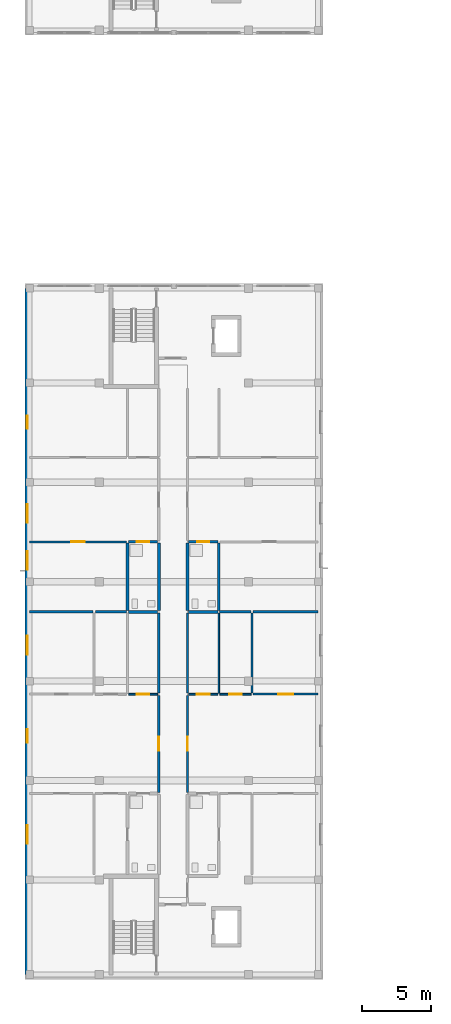
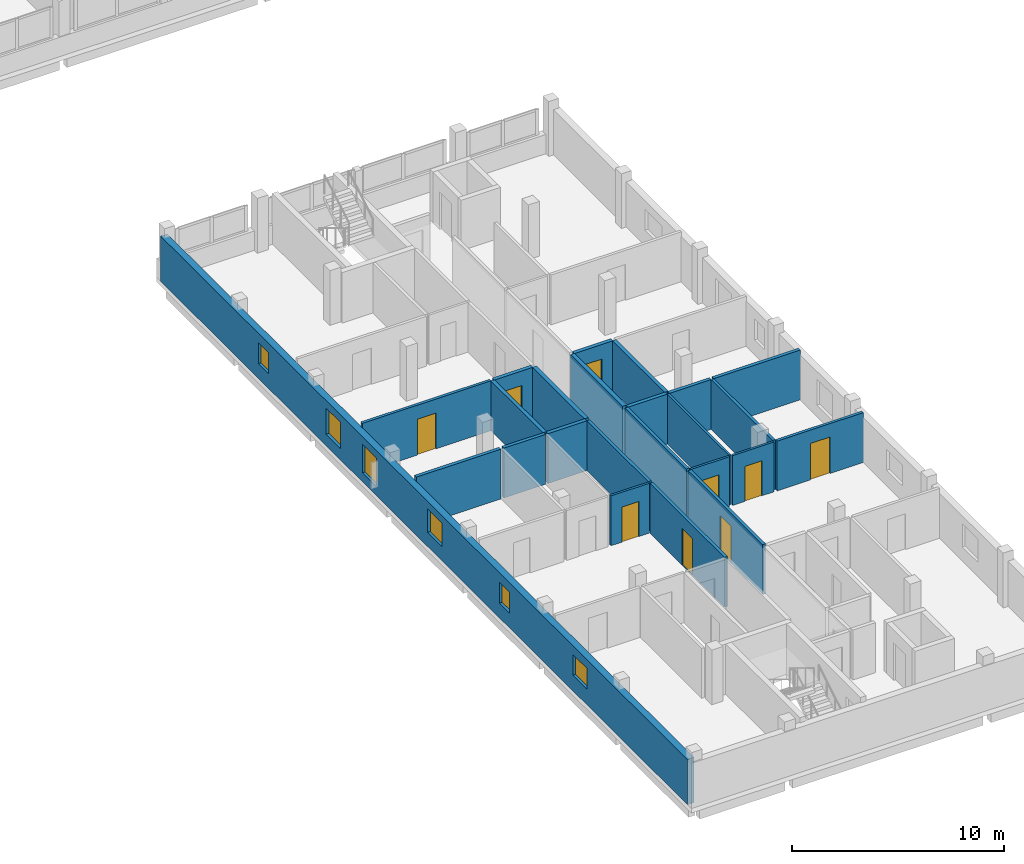
# One storey, part 14 of 38: 24 walls, 9 doors, 6 windows, 15 openings.
"""IFC4 building model written with IfcOpenShell, lengths in metres."""

from ifc_helpers import new_model, si_unit, derived_unit, direction, frame, frame_2d, origin, place, context, subcontext, project, spatial, rectangle, extrude, material, layer, layer_set, type_object, element, fill, save


model = new_model("IFC4")

# Units and contexts
model_context = context("Model", 3, precision=1e-05, world=origin(), true_north=direction((0.0, 1.0)))
body_context = subcontext(model_context, "Body", "Model", "MODEL_VIEW")
ifc_project = project(units=[si_unit("LENGTHUNIT", "METRE"), si_unit("AREAUNIT", "SQUARE_METRE"), si_unit("VOLUMEUNIT", "CUBIC_METRE"), si_unit("PLANEANGLEUNIT", "RADIAN"), si_unit("MASSUNIT", "GRAM", prefix="KILO"), derived_unit("THERMALTRANSMITTANCEUNIT", [(si_unit("MASSUNIT", "GRAM", prefix="KILO"), 1), (si_unit("TIMEUNIT", "SECOND"), -3), (si_unit("THERMODYNAMICTEMPERATUREUNIT", "KELVIN"), -1)])], contexts=[model_context])

# Site, building, storey
site_placement = place(None, origin())
site = spatial("IfcSite", under=ifc_project, at=site_placement, CompositionType="ELEMENT")
building_placement = place(site_placement, origin())
building = spatial("IfcBuilding", under=site, at=building_placement, Name="Ochrekiln Boulevard Commons", CompositionType="ELEMENT")
storey_placement = place(building_placement, frame((0.0, 0.0, 24.675048828125)))
storey = spatial("IfcBuildingStorey", under=building, at=storey_placement, Name="L07", CompositionType="ELEMENT", Elevation=24.675048828125)

# Wall, openings, windows
ifc_material_1 = material(Name="Iron-spot brown clinker brick masonry ASTM C216 Grade SW", Category="masonry")
ifc_layer_1 = layer(ifc_material_1, 0.364990234375)
ifc_layer_set_1 = layer_set([ifc_layer_1], Name="Iron-spot brown clinker brick masonry ASTM C216 Grade SW")
wall_type_1 = type_object("IfcWallType", Name="WL-EXT-IRON-365", PredefinedType="SOLIDWALL", material=ifc_layer_set_1)
wall_1_placement = place(storey_placement, frame((0.1826171875, 0.364990234375, 0.0), z_axis=(0.0, 0.0, 1.0), x_axis=(0.0, 1.0, 0.0)))
wall_1 = element("IfcWall", 1, at=wall_1_placement, inside=storey, type_object=wall_type_1, Name="Block D L07 W Exterior Wall", PredefinedType="SOLIDWALL", context=body_context, shape_type="SweptSolid", body=[
    extrude(rectangle(XDim=49.669921875, YDim=0.364990234375, at=frame_2d((24.8349609375, 0.0))), origin(), (0.0, 0.0, 1.0), 2.599853515625),
])
opening_1_placement = place(wall_1_placement, frame((16.781982421875, 0.0, 0.85009765625)))
opening_1 = element("IfcOpeningElement", 2, at=opening_1_placement, cuts=wall_1, Name="Opening W-01", PredefinedType="OPENING", context=body_context, shape_type="SweptSolid", body=[
    extrude(rectangle(XDim=0.949951171875, YDim=1.199951171875, at=frame_2d((0.47509765625, 0.60009765625))), frame((0.0, 0.1923828125, 0.0), z_axis=(0.0, -1.0, 0.0), x_axis=(1.0, 0.0, 0.0)), (0.0, 0.0, 1.0), 0.385009765625),
])
opening_2_placement = place(wall_1_placement, frame((9.451904296875, 0.0, 0.89990234375)))
opening_2 = element("IfcOpeningElement", 3, at=opening_2_placement, cuts=wall_1, Name="Opening W-21", PredefinedType="OPENING", context=body_context, shape_type="SweptSolid", body=[
    extrude(rectangle(XDim=1.35009765625, YDim=1.199951171875, at=frame_2d((0.675048828125, 0.60009765625))), frame((0.0, 0.1923828125, 0.0), z_axis=(0.0, -1.0, 0.0), x_axis=(1.0, 0.0, 0.0)), (0.0, 0.0, 1.0), 0.385009765625),
])
opening_3_placement = place(wall_1_placement, frame((23.154052734375, 0.0, 0.81494140625)))
opening_3 = element("IfcOpeningElement", 4, at=opening_3_placement, cuts=wall_1, Name="Opening W-22", PredefinedType="OPENING", context=body_context, shape_type="SweptSolid", body=[
    extrude(rectangle(XDim=1.35009765625, YDim=1.35009765625, at=frame_2d((0.675048828125, 0.675048828125))), frame((0.0, 0.1923828125, 0.0), z_axis=(0.0, -1.0, 0.0), x_axis=(1.0, 0.0, 0.0)), (0.0, 0.0, 1.0), 0.385009765625),
])
opening_4_placement = place(wall_1_placement, frame((32.7099609375, 0.0, 0.6650390625)))
opening_4 = element("IfcOpeningElement", 5, at=opening_4_placement, cuts=wall_1, Name="Opening W-23", PredefinedType="OPENING", context=body_context, shape_type="SweptSolid", body=[
    extrude(rectangle(XDim=1.35009765625, YDim=1.5, at=frame_2d((0.675048828125, 0.75))), frame((0.0, 0.1923828125, 0.0), z_axis=(0.0, -1.0, 0.0), x_axis=(1.0, 0.0, 0.0)), (0.0, 0.0, 1.0), 0.385009765625),
])
opening_5_placement = place(wall_1_placement, frame((29.300048828125, 0.0, 0.514892578125)))
opening_5 = element("IfcOpeningElement", 6, at=opening_5_placement, cuts=wall_1, Name="Opening W-24", PredefinedType="OPENING", context=body_context, shape_type="SweptSolid", body=[
    extrude(rectangle(XDim=1.35009765625, YDim=1.64990234375, at=frame_2d((0.675048828125, 0.824951171875))), frame((0.0, 0.1923828125, 0.0), z_axis=(0.0, -1.0, 0.0), x_axis=(1.0, 0.0, 0.0)), (0.0, 0.0, 1.0), 0.385009765625),
])
opening_6_placement = place(wall_1_placement, frame((39.50390625, 0.0, 0.85009765625)))
opening_6 = element("IfcOpeningElement", 7, at=opening_6_placement, cuts=wall_1, Name="Opening W-01", PredefinedType="OPENING", context=body_context, shape_type="SweptSolid", body=[
    extrude(rectangle(XDim=0.949951171875, YDim=1.199951171875, at=frame_2d((0.47509765625, 0.60009765625))), frame((0.0, 0.1923828125, 0.0), z_axis=(0.0, -1.0, 0.0), x_axis=(1.0, 0.0, 0.0)), (0.0, 0.0, 1.0), 0.385009765625),
])
ifc_material_2 = material(Name="Thermally broken aluminium-clad oak frame", Category="aluminium")
window_type_1 = type_object("IfcWindowType", Name="WIN-EXT-01", PartitioningType="SINGLE_PANEL", PredefinedType="WINDOW", material=ifc_material_2)
window_1_placement = place(opening_1_placement, origin())
window_1 = element("IfcWindow", 8, at=window_1_placement, inside=storey, type_object=window_type_1, Name="Block D L07 Punched Masonry Window W-01", OverallHeight=1.199951171875, OverallWidth=0.949951171875, PartitioningType="SINGLE_PANEL", PredefinedType="WINDOW", context=body_context, shape_type="SweptSolid", body=[
    extrude(rectangle(XDim=0.949951171875, YDim=1.199951171875, at=frame_2d((0.47509765625, 0.60009765625))), frame((0.0, 0.030029296875, 0.0), z_axis=(0.0, -1.0, 0.0), x_axis=(1.0, 0.0, 0.0)), (0.0, 0.0, 1.0), 0.06005859375),
])
fill(opening_1, window_1)
window_2_placement = place(opening_6_placement, origin())
window_2 = element("IfcWindow", 9, at=window_2_placement, inside=storey, type_object=window_type_1, Name="Block D L07 Punched Masonry Window W-01", OverallHeight=1.199951171875, OverallWidth=0.949951171875, PartitioningType="SINGLE_PANEL", PredefinedType="WINDOW", context=body_context, shape_type="SweptSolid", body=[
    extrude(rectangle(XDim=0.949951171875, YDim=1.199951171875, at=frame_2d((0.47509765625, 0.60009765625))), frame((0.0, 0.030029296875, 0.0), z_axis=(0.0, -1.0, 0.0), x_axis=(1.0, 0.0, 0.0)), (0.0, 0.0, 1.0), 0.06005859375),
])
fill(opening_6, window_2)
window_type_2 = type_object("IfcWindowType", Name="WIN-EXT-21", PartitioningType="SINGLE_PANEL", PredefinedType="WINDOW", material=ifc_material_2)
window_3_placement = place(opening_2_placement, origin())
window_3 = element("IfcWindow", 10, at=window_3_placement, inside=storey, type_object=window_type_2, Name="Block D L07 Punched Masonry Window W-21", OverallHeight=1.199951171875, OverallWidth=1.35009765625, PartitioningType="SINGLE_PANEL", PredefinedType="WINDOW", context=body_context, shape_type="SweptSolid", body=[
    extrude(rectangle(XDim=1.35009765625, YDim=1.199951171875, at=frame_2d((0.675048828125, 0.60009765625))), frame((0.0, 0.030029296875, 0.0), z_axis=(0.0, -1.0, 0.0), x_axis=(1.0, 0.0, 0.0)), (0.0, 0.0, 1.0), 0.06005859375),
])
fill(opening_2, window_3)
window_type_3 = type_object("IfcWindowType", Name="WIN-EXT-22", PartitioningType="SINGLE_PANEL", PredefinedType="WINDOW", material=ifc_material_2)
window_4_placement = place(opening_3_placement, origin())
window_4 = element("IfcWindow", 11, at=window_4_placement, inside=storey, type_object=window_type_3, Name="Block D L07 Punched Masonry Window W-22", OverallHeight=1.35009765625, OverallWidth=1.35009765625, PartitioningType="SINGLE_PANEL", PredefinedType="WINDOW", context=body_context, shape_type="SweptSolid", body=[
    extrude(rectangle(XDim=1.35009765625, YDim=1.35009765625, at=frame_2d((0.675048828125, 0.675048828125))), frame((0.0, 0.030029296875, 0.0), z_axis=(0.0, -1.0, 0.0), x_axis=(1.0, 0.0, 0.0)), (0.0, 0.0, 1.0), 0.06005859375),
])
fill(opening_3, window_4)
window_type_4 = type_object("IfcWindowType", Name="WIN-EXT-23", PartitioningType="SINGLE_PANEL", PredefinedType="WINDOW", material=ifc_material_2)
window_5_placement = place(opening_4_placement, origin())
window_5 = element("IfcWindow", 12, at=window_5_placement, inside=storey, type_object=window_type_4, Name="Block D L07 Punched Masonry Window W-23", OverallHeight=1.5, OverallWidth=1.35009765625, PartitioningType="SINGLE_PANEL", PredefinedType="WINDOW", context=body_context, shape_type="SweptSolid", body=[
    extrude(rectangle(XDim=1.35009765625, YDim=1.5, at=frame_2d((0.675048828125, 0.75))), frame((0.0, 0.030029296875, 0.0), z_axis=(0.0, -1.0, 0.0), x_axis=(1.0, 0.0, 0.0)), (0.0, 0.0, 1.0), 0.06005859375),
])
fill(opening_4, window_5)
window_type_5 = type_object("IfcWindowType", Name="WIN-EXT-24", PartitioningType="SINGLE_PANEL", PredefinedType="WINDOW", material=ifc_material_2)
window_6_placement = place(opening_5_placement, origin())
window_6 = element("IfcWindow", 13, at=window_6_placement, inside=storey, type_object=window_type_5, Name="Block D L07 Punched Masonry Window W-24", OverallHeight=1.64990234375, OverallWidth=1.35009765625, PartitioningType="SINGLE_PANEL", PredefinedType="WINDOW", context=body_context, shape_type="SweptSolid", body=[
    extrude(rectangle(XDim=1.35009765625, YDim=1.64990234375, at=frame_2d((0.675048828125, 0.824951171875))), frame((0.0, 0.030029296875, 0.0), z_axis=(0.0, -1.0, 0.0), x_axis=(1.0, 0.0, 0.0)), (0.0, 0.0, 1.0), 0.06005859375),
])
fill(opening_5, window_6)

# Wall
ifc_material_3 = material(Name="Moisture-resistant cementitious tile backer wall")
ifc_layer_2 = layer(ifc_material_3, 0.199951171875)
ifc_layer_set_2 = layer_set([ifc_layer_2], Name="Moisture-resistant cementitious tile backer wall")
wall_type_2 = type_object("IfcWallType", Name="WL-PLM-200", PredefinedType="PLUMBINGWALL", material=ifc_layer_set_2)
wall_2_placement = place(storey_placement, frame((7.5, 26.60791015625, 0.0), z_axis=(0.0, 0.0, 1.0), x_axis=(1.0, 0.0, 0.0)))
element("IfcWall", 14, at=wall_2_placement, inside=storey, type_object=wall_type_2, Name="L07 Interior Wall W-PW200", PredefinedType="PLUMBINGWALL", context=body_context, shape_type="SweptSolid", body=[
    extrude(rectangle(XDim=2.1279296875, YDim=0.199951171875, at=frame_2d((1.06396484375, 0.0))), origin(), (0.0, 0.0, 1.0), 2.869873046875),
])

# Wall, opening, door
wall_3_placement = place(storey_placement, frame((7.52001953125, 31.68994140625, 0.0), z_axis=(0.0, 0.0, 1.0), x_axis=(1.0, 0.0, 0.0)))
wall_3 = element("IfcWall", 15, at=wall_3_placement, inside=storey, type_object=wall_type_2, Name="L07 Interior Wall W-PW200", PredefinedType="PLUMBINGWALL", context=body_context, shape_type="SweptSolid", body=[
    extrude(rectangle(XDim=2.10791015625, YDim=0.199951171875, at=frame_2d((1.053955078125, 0.0))), origin(), (0.0, 0.0, 1.0), 2.869873046875),
])
opening_7_placement = place(wall_3_placement, frame((0.60498046875, 0.0, 0.0)))
opening_7 = element("IfcOpeningElement", 16, at=opening_7_placement, cuts=wall_3, Name="Opening D-L07-987", PredefinedType="OPENING", context=body_context, shape_type="SweptSolid", body=[
    extrude(rectangle(XDim=0.889892578125, YDim=2.030029296875, at=frame_2d((0.44482421875, 1.01513671875))), frame((0.0, 0.10986328125, 0.0), z_axis=(0.0, -1.0, 0.0), x_axis=(1.0, 0.0, 0.0)), (0.0, 0.0, 1.0), 0.219970703125),
])
ifc_material_4 = material(Name="Solid core architectural oak door leaf")
door_type_1 = type_object("IfcDoorType", Name="DR-INT-BTH-089", OperationType="NOTDEFINED", PredefinedType="DOOR", material=ifc_material_4)
door_1_placement = place(opening_7_placement, frame((0.889892578125, 0.0, 0.0), z_axis=(0.0, 0.0, 1.0), x_axis=(-1.0, 0.0, 0.0)))
door_1 = element("IfcDoor", 17, at=door_1_placement, inside=storey, type_object=door_type_1, Name="L07 Interior Door to Apartment Bathroom", OperationType="SINGLE_SWING_LEFT", OverallHeight=2.030029296875, OverallWidth=0.889892578125, PredefinedType="DOOR", context=body_context, shape_type="SweptSolid", body=[
    extrude(rectangle(XDim=0.889892578125, YDim=2.030029296875, at=frame_2d((0.44482421875, 1.01513671875))), frame((0.0, 0.02490234375, 0.0), z_axis=(0.0, -1.0, 0.0), x_axis=(1.0, 0.0, 0.0)), (0.0, 0.0, 1.0), 0.050048828125),
])
fill(opening_7, door_1)

# Walls
wall_4_placement = place(storey_placement, frame((7.43994140625, 26.697998046875, 0.0), z_axis=(0.0, 0.0, 1.0), x_axis=(0.0, 1.0, 0.0)))
element("IfcWall", 18, at=wall_4_placement, inside=storey, type_object=wall_type_2, Name="L07 Interior Wall W-PW200", PredefinedType="PLUMBINGWALL", context=body_context, shape_type="SweptSolid", body=[
    extrude(rectangle(XDim=4.9169921875, YDim=0.199951171875, at=frame_2d((2.45849609375, 0.0))), origin(), (0.0, 0.0, 1.0), 2.869873046875),
])
wall_5_placement = place(storey_placement, frame((11.8720703125, 26.60791015625, 0.0), z_axis=(0.0, 0.0, 1.0), x_axis=(1.0, 0.0, 0.0)))
element("IfcWall", 19, at=wall_5_placement, inside=storey, type_object=wall_type_2, Name="L07 Interior Wall W-PW200", PredefinedType="PLUMBINGWALL", context=body_context, shape_type="SweptSolid", body=[
    extrude(rectangle(XDim=2.1279296875, YDim=0.199951171875, at=frame_2d((1.06396484375, 0.0))), origin(), (0.0, 0.0, 1.0), 2.869873046875),
])

# Wall, opening, door
wall_6_placement = place(storey_placement, frame((11.8720703125, 31.68994140625, 0.0), z_axis=(0.0, 0.0, 1.0), x_axis=(1.0, 0.0, 0.0)))
wall_6 = element("IfcWall", 20, at=wall_6_placement, inside=storey, type_object=wall_type_2, Name="L07 Interior Wall W-PW200", PredefinedType="PLUMBINGWALL", context=body_context, shape_type="SweptSolid", body=[
    extrude(rectangle(XDim=2.10791015625, YDim=0.199951171875, at=frame_2d((1.053955078125, 0.0))), origin(), (0.0, 0.0, 1.0), 2.869873046875),
])
opening_8_placement = place(wall_6_placement, frame((0.613037109375, 0.0, 0.0)))
opening_8 = element("IfcOpeningElement", 21, at=opening_8_placement, cuts=wall_6, Name="Opening D-L07-998", PredefinedType="OPENING", context=body_context, shape_type="SweptSolid", body=[
    extrude(rectangle(XDim=0.889892578125, YDim=2.030029296875, at=frame_2d((0.44482421875, 1.01513671875))), frame((0.0, 0.10986328125, 0.0), z_axis=(0.0, -1.0, 0.0), x_axis=(1.0, 0.0, 0.0)), (0.0, 0.0, 1.0), 0.219970703125),
])
door_2_placement = place(opening_8_placement, frame((0.889892578125, 0.0, 0.0), z_axis=(0.0, 0.0, 1.0), x_axis=(-1.0, 0.0, 0.0)))
door_2 = element("IfcDoor", 22, at=door_2_placement, inside=storey, type_object=door_type_1, Name="L07 Interior Door to Apartment Bathroom", OperationType="SINGLE_SWING_RIGHT", OverallHeight=2.030029296875, OverallWidth=0.889892578125, PredefinedType="DOOR", context=body_context, shape_type="SweptSolid", body=[
    extrude(rectangle(XDim=0.889892578125, YDim=2.030029296875, at=frame_2d((0.44482421875, 1.01513671875))), frame((0.0, 0.02490234375, 0.0), z_axis=(0.0, -1.0, 0.0), x_axis=(1.0, 0.0, 0.0)), (0.0, 0.0, 1.0), 0.050048828125),
])
fill(opening_8, door_2)

# Walls
wall_7_placement = place(storey_placement, frame((14.06005859375, 26.697998046875, 0.0), z_axis=(0.0, 0.0, 1.0), x_axis=(0.0, 1.0, 0.0)))
element("IfcWall", 23, at=wall_7_placement, inside=storey, type_object=wall_type_2, Name="L07 Interior Wall W-PW200", PredefinedType="PLUMBINGWALL", context=body_context, shape_type="SweptSolid", body=[
    extrude(rectangle(XDim=4.9169921875, YDim=0.199951171875, at=frame_2d((2.45849609375, 0.0))), origin(), (0.0, 0.0, 1.0), 2.869873046875),
])
ifc_layer_3 = layer(ifc_material_3, 0.219970703125)
ifc_layer_set_3 = layer_set([ifc_layer_3], Name="Moisture-resistant cementitious tile backer wall")
wall_type_3 = type_object("IfcWallType", Name="WL-PLM-220", PredefinedType="PLUMBINGWALL", material=ifc_layer_set_3)
for number, where, z_axis, x_axis, name in (
    (24, (9.7099609375, 26.697998046875, 0.0), (0.0, 0.0, 1.0), (0.0, 1.0, 0.0), "L07 Interior Wall W-PW220"),
    (25, (11.7900390625, 26.697998046875, 0.0), (0.0, 0.0, 1.0), (0.0, 1.0, 0.0), "L07 Interior Wall W-PW220"),
):
    element("IfcWall", number, at=place(storey_placement, frame(where, z_axis=z_axis, x_axis=x_axis)), inside=storey, type_object=wall_type_3, Name=name, PredefinedType="PLUMBINGWALL", context=body_context, shape_type="SweptSolid", body=[
        extrude(rectangle(XDim=4.912109375, YDim=0.219970703125, at=frame_2d((2.4560546875, 0.0))), origin(), (0.0, 0.0, 1.0), 2.869873046875),
    ])

# Wall, opening, door
ifc_material_5 = material(Name="Fire-rated Type X gypsum board on steel studs", Category="steel")
ifc_layer_4 = layer(ifc_material_5, 0.1650390625)
ifc_layer_set_4 = layer_set([ifc_layer_4], Name="Fire-rated Type X gypsum board on steel studs")
wall_type_4 = type_object("IfcWallType", Name="WL-PT-CORR-165", PredefinedType="PARTITIONING", material=ifc_layer_set_4)
wall_8_placement = place(storey_placement, frame((9.7099609375, 13.544921875, 0.0), z_axis=(0.0, 0.0, 1.0), x_axis=(0.0, 1.0, 0.0)))
wall_8 = element("IfcWall", 26, at=wall_8_placement, inside=storey, type_object=wall_type_4, Name="L07 Interior Wall W-PC165", PredefinedType="PARTITIONING", context=body_context, shape_type="SweptSolid", body=[
    extrude(rectangle(XDim=7.028076171875, YDim=0.1650390625, at=frame_2d((3.51416015625, 0.0))), origin(), (0.0, 0.0, 1.0), 2.869873046875),
])
opening_9_placement = place(wall_8_placement, frame((3.009033203125, 0.0, 0.0)))
opening_9 = element("IfcOpeningElement", 27, at=opening_9_placement, cuts=wall_8, Name="Opening D-L07-976", PredefinedType="OPENING", context=body_context, shape_type="SweptSolid", body=[
    extrude(rectangle(XDim=1.010009765625, YDim=2.110107421875, at=frame_2d((0.5048828125, 1.05517578125))), frame((0.0, 0.092529296875, 0.0), z_axis=(0.0, -1.0, 0.0), x_axis=(1.0, 0.0, 0.0)), (0.0, 0.0, 1.0), 0.18505859375),
])
door_type_2 = type_object("IfcDoorType", Name="DR-INT-APT-101", OperationType="NOTDEFINED", PredefinedType="DOOR", material=ifc_material_4)
door_3_placement = place(opening_9_placement, origin())
door_3 = element("IfcDoor", 28, at=door_3_placement, inside=storey, type_object=door_type_2, Name="L07 Interior Door to Two-Bedroom Apartment Living Room", OperationType="SINGLE_SWING_RIGHT", OverallHeight=2.110107421875, OverallWidth=1.010009765625, PredefinedType="DOOR", context=body_context, shape_type="SweptSolid", body=[
    extrude(rectangle(XDim=1.010009765625, YDim=2.110107421875, at=frame_2d((0.5048828125, 1.05517578125))), frame((0.0, 0.02490234375, 0.0), z_axis=(0.0, -1.0, 0.0), x_axis=(1.0, 0.0, 0.0)), (0.0, 0.0, 1.0), 0.050048828125),
])
fill(opening_9, door_3)

# Wall
wall_9_placement = place(storey_placement, frame((9.7099609375, 20.73291015625, 0.0), z_axis=(0.0, 0.0, 1.0), x_axis=(0.0, 1.0, 0.0)))
element("IfcWall", 29, at=wall_9_placement, inside=storey, type_object=wall_type_4, Name="L07 Interior Wall W-PC165", PredefinedType="PARTITIONING", context=body_context, shape_type="SweptSolid", body=[
    extrude(rectangle(XDim=5.78515625, YDim=0.1650390625, at=frame_2d((2.892578125, 0.0))), origin(), (0.0, 0.0, 1.0), 2.869873046875),
])

# Wall, opening, door
wall_10_placement = place(storey_placement, frame((11.7900390625, 13.544921875, 0.0), z_axis=(0.0, 0.0, 1.0), x_axis=(0.0, 1.0, 0.0)))
wall_10 = element("IfcWall", 30, at=wall_10_placement, inside=storey, type_object=wall_type_4, Name="L07 Interior Wall W-PC165", PredefinedType="PARTITIONING", context=body_context, shape_type="SweptSolid", body=[
    extrude(rectangle(XDim=7.028076171875, YDim=0.1650390625, at=frame_2d((3.51416015625, 0.0))), origin(), (0.0, 0.0, 1.0), 2.869873046875),
])
opening_10_placement = place(wall_10_placement, frame((3.009033203125, 0.0, 0.0)))
opening_10 = element("IfcOpeningElement", 31, at=opening_10_placement, cuts=wall_10, Name="Opening D-L07-978", PredefinedType="OPENING", context=body_context, shape_type="SweptSolid", body=[
    extrude(rectangle(XDim=1.010009765625, YDim=2.110107421875, at=frame_2d((0.5048828125, 1.05517578125))), frame((0.0, 0.092529296875, 0.0), z_axis=(0.0, -1.0, 0.0), x_axis=(1.0, 0.0, 0.0)), (0.0, 0.0, 1.0), 0.18505859375),
])
door_4_placement = place(opening_10_placement, frame((1.010009765625, 0.0, 0.0), z_axis=(0.0, 0.0, 1.0), x_axis=(-1.0, 0.0, 0.0)))
door_4 = element("IfcDoor", 32, at=door_4_placement, inside=storey, type_object=door_type_2, Name="L07 Interior Door to Two-Bedroom Apartment Living Room", OperationType="SINGLE_SWING_RIGHT", OverallHeight=2.110107421875, OverallWidth=1.010009765625, PredefinedType="DOOR", context=body_context, shape_type="SweptSolid", body=[
    extrude(rectangle(XDim=1.010009765625, YDim=2.110107421875, at=frame_2d((0.5048828125, 1.05517578125))), frame((0.0, 0.02490234375, 0.0), z_axis=(0.0, -1.0, 0.0), x_axis=(1.0, 0.0, 0.0)), (0.0, 0.0, 1.0), 0.050048828125),
])
fill(opening_10, door_4)

# Walls
wall_11_placement = place(storey_placement, frame((11.7900390625, 20.73291015625, 0.0), z_axis=(0.0, 0.0, 1.0), x_axis=(0.0, 1.0, 0.0)))
element("IfcWall", 33, at=wall_11_placement, inside=storey, type_object=wall_type_4, Name="L07 Interior Wall W-PC165", PredefinedType="PARTITIONING", context=body_context, shape_type="SweptSolid", body=[
    extrude(rectangle(XDim=5.78515625, YDim=0.1650390625, at=frame_2d((2.892578125, 0.0))), origin(), (0.0, 0.0, 1.0), 2.869873046875),
])
ifc_layer_5 = layer(ifc_material_5, 0.179931640625)
ifc_layer_set_5 = layer_set([ifc_layer_5], Name="Fire-rated Type X gypsum board on steel studs")
wall_type_5 = type_object("IfcWallType", Name="WL-PT-DEM-180", PredefinedType="PARTITIONING", material=ifc_layer_set_5)
wall_12_placement = place(storey_placement, frame((0.35009765625, 26.60791015625, 0.0), z_axis=(0.0, 0.0, 1.0), x_axis=(1.0, 0.0, 0.0)))
element("IfcWall", 34, at=wall_12_placement, inside=storey, type_object=wall_type_5, Name="L07 Interior Wall W-PD180", PredefinedType="PARTITIONING", context=body_context, shape_type="SweptSolid", body=[
    extrude(rectangle(XDim=4.599853515625, YDim=0.179931640625, at=frame_2d((2.2998046875, 0.0))), origin(), (0.0, 0.0, 1.0), 2.869873046875),
])
wall_13_placement = place(storey_placement, frame((5.110107421875, 26.60791015625, 0.0), z_axis=(0.0, 0.0, 1.0), x_axis=(1.0, 0.0, 0.0)))
element("IfcWall", 35, at=wall_13_placement, inside=storey, type_object=wall_type_5, Name="L07 Interior Wall W-PD180", PredefinedType="PARTITIONING", context=body_context, shape_type="SweptSolid", body=[
    extrude(rectangle(XDim=2.269775390625, YDim=0.179931640625, at=frame_2d((1.134765625, 0.0))), origin(), (0.0, 0.0, 1.0), 2.869873046875),
])
wall_14_placement = place(storey_placement, frame((16.544921875, 26.60791015625, 0.0), z_axis=(0.0, 0.0, 1.0), x_axis=(1.0, 0.0, 0.0)))
element("IfcWall", 36, at=wall_14_placement, inside=storey, type_object=wall_type_5, Name="L07 Interior Wall W-PD180", PredefinedType="PARTITIONING", context=body_context, shape_type="SweptSolid", body=[
    extrude(rectangle(XDim=4.705078125, YDim=0.179931640625, at=frame_2d((2.3525390625, 0.0))), origin(), (0.0, 0.0, 1.0), 2.869873046875),
])
wall_15_placement = place(storey_placement, frame((14.1201171875, 26.60791015625, 0.0), z_axis=(0.0, 0.0, 1.0), x_axis=(1.0, 0.0, 0.0)))
element("IfcWall", 37, at=wall_15_placement, inside=storey, type_object=wall_type_5, Name="L07 Interior Wall W-PD180", PredefinedType="PARTITIONING", context=body_context, shape_type="SweptSolid", body=[
    extrude(rectangle(XDim=2.269775390625, YDim=0.179931640625, at=frame_2d((1.134765625, 0.0))), origin(), (0.0, 0.0, 1.0), 2.869873046875),
])

# Wall, opening, door
ifc_layer_6 = layer(ifc_material_5, 0.1201171875)
ifc_layer_set_6 = layer_set([ifc_layer_6], Name="Fire-rated Type X gypsum board on steel studs")
wall_type_6 = type_object("IfcWallType", Name="WL-PT-LGT-120", PredefinedType="PARTITIONING", material=ifc_layer_set_6)
wall_16_placement = place(storey_placement, frame((7.52001953125, 20.653076171875, 0.0), z_axis=(0.0, 0.0, 1.0), x_axis=(1.0, 0.0, 0.0)))
wall_16 = element("IfcWall", 38, at=wall_16_placement, inside=storey, type_object=wall_type_6, Name="L07 Interior Wall W-PL120", PredefinedType="PARTITIONING", context=body_context, shape_type="SweptSolid", body=[
    extrude(rectangle(XDim=2.10791015625, YDim=0.1201171875, at=frame_2d((1.053955078125, 0.0))), origin(), (0.0, 0.0, 1.0), 2.869873046875),
])
opening_11_placement = place(wall_16_placement, frame((0.590087890625, 0.0, 0.0)))
opening_11 = element("IfcOpeningElement", 39, at=opening_11_placement, cuts=wall_16, Name="Opening D-L07-981", PredefinedType="OPENING", context=body_context, shape_type="SweptSolid", body=[
    extrude(rectangle(XDim=0.919921875, YDim=2.02001953125, at=frame_2d((0.4599609375, 1.010009765625))), frame((0.0, 0.070068359375, 0.0), z_axis=(0.0, -1.0, 0.0), x_axis=(1.0, 0.0, 0.0)), (0.0, 0.0, 1.0), 0.14013671875),
])
door_type_3 = type_object("IfcDoorType", Name="DR-INT-KIT-092", OperationType="NOTDEFINED", PredefinedType="DOOR", material=ifc_material_4)
door_5_placement = place(opening_11_placement, origin())
door_5 = element("IfcDoor", 40, at=door_5_placement, inside=storey, type_object=door_type_3, Name="L07 Interior Door to Apartment Kitchen", OperationType="SINGLE_SWING_LEFT", OverallHeight=2.02001953125, OverallWidth=0.919921875, PredefinedType="DOOR", context=body_context, shape_type="SweptSolid", body=[
    extrude(rectangle(XDim=0.919921875, YDim=2.02001953125, at=frame_2d((0.4599609375, 1.010009765625))), frame((0.0, 0.02490234375, 0.0), z_axis=(0.0, -1.0, 0.0), x_axis=(1.0, 0.0, 0.0)), (0.0, 0.0, 1.0), 0.050048828125),
])
fill(opening_11, door_5)

wall_17_placement = place(storey_placement, frame((11.8720703125, 20.653076171875, 0.0), z_axis=(0.0, 0.0, 1.0), x_axis=(1.0, 0.0, 0.0)))
wall_17 = element("IfcWall", 41, at=wall_17_placement, inside=storey, type_object=wall_type_6, Name="L07 Interior Wall W-PL120", PredefinedType="PARTITIONING", context=body_context, shape_type="SweptSolid", body=[
    extrude(rectangle(XDim=2.10791015625, YDim=0.1201171875, at=frame_2d((1.053955078125, 0.0))), origin(), (0.0, 0.0, 1.0), 2.869873046875),
])
opening_12_placement = place(wall_17_placement, frame((0.597900390625, 0.0, 0.0)))
opening_12 = element("IfcOpeningElement", 42, at=opening_12_placement, cuts=wall_17, Name="Opening D-L07-992", PredefinedType="OPENING", context=body_context, shape_type="SweptSolid", body=[
    extrude(rectangle(XDim=0.919921875, YDim=2.02001953125, at=frame_2d((0.4599609375, 1.010009765625))), frame((0.0, 0.070068359375, 0.0), z_axis=(0.0, -1.0, 0.0), x_axis=(1.0, 0.0, 0.0)), (0.0, 0.0, 1.0), 0.14013671875),
])
door_6_placement = place(opening_12_placement, origin())
door_6 = element("IfcDoor", 43, at=door_6_placement, inside=storey, type_object=door_type_3, Name="L07 Interior Door to Apartment Kitchen", OperationType="SINGLE_SWING_RIGHT", OverallHeight=2.02001953125, OverallWidth=0.919921875, PredefinedType="DOOR", context=body_context, shape_type="SweptSolid", body=[
    extrude(rectangle(XDim=0.919921875, YDim=2.02001953125, at=frame_2d((0.4599609375, 1.010009765625))), frame((0.0, 0.02490234375, 0.0), z_axis=(0.0, -1.0, 0.0), x_axis=(1.0, 0.0, 0.0)), (0.0, 0.0, 1.0), 0.050048828125),
])
fill(opening_12, door_6)

wall_18_placement = place(storey_placement, frame((14.139892578125, 20.653076171875, 0.0), z_axis=(0.0, 0.0, 1.0), x_axis=(1.0, 0.0, 0.0)))
wall_18 = element("IfcWall", 44, at=wall_18_placement, inside=storey, type_object=wall_type_6, Name="L07 Interior Wall W-PL120", PredefinedType="PARTITIONING", context=body_context, shape_type="SweptSolid", body=[
    extrude(rectangle(XDim=2.25, YDim=0.1201171875, at=frame_2d((1.125, 0.0))), origin(), (0.0, 0.0, 1.0), 2.869873046875),
])
opening_13_placement = place(wall_18_placement, frame((0.6650390625, 0.0, 0.0)))
opening_13 = element("IfcOpeningElement", 45, at=opening_13_placement, cuts=wall_18, Name="Opening D-L07-996", PredefinedType="OPENING", context=body_context, shape_type="SweptSolid", body=[
    extrude(rectangle(XDim=0.919921875, YDim=2.02001953125, at=frame_2d((0.4599609375, 1.010009765625))), frame((0.0, 0.070068359375, 0.0), z_axis=(0.0, -1.0, 0.0), x_axis=(1.0, 0.0, 0.0)), (0.0, 0.0, 1.0), 0.14013671875),
])
door_7_placement = place(opening_13_placement, origin())
door_7 = element("IfcDoor", 46, at=door_7_placement, inside=storey, type_object=door_type_3, Name="L07 Interior Door to Apartment Walk-In Wardrobe", OperationType="SINGLE_SWING_RIGHT", OverallHeight=2.02001953125, OverallWidth=0.919921875, PredefinedType="DOOR", context=body_context, shape_type="SweptSolid", body=[
    extrude(rectangle(XDim=0.919921875, YDim=2.02001953125, at=frame_2d((0.4599609375, 1.010009765625))), frame((0.0, 0.02490234375, 0.0), z_axis=(0.0, -1.0, 0.0), x_axis=(1.0, 0.0, 0.0)), (0.0, 0.0, 1.0), 0.050048828125),
])
fill(opening_13, door_7)

# Wall
wall_19_placement = place(storey_placement, frame((14.06005859375, 20.712890625, 0.0), z_axis=(0.0, 0.0, 1.0), x_axis=(0.0, 1.0, 0.0)))
element("IfcWall", 47, at=wall_19_placement, inside=storey, type_object=wall_type_6, Name="L07 Interior Wall W-PL120", PredefinedType="PARTITIONING", context=body_context, shape_type="SweptSolid", body=[
    extrude(rectangle(XDim=5.80517578125, YDim=0.1201171875, at=frame_2d((2.902587890625, 0.0))), origin(), (0.0, 0.0, 1.0), 2.869873046875),
])

# Wall, opening, door
ifc_layer_7 = layer(ifc_material_5, 0.14990234375)
ifc_layer_set_7 = layer_set([ifc_layer_7], Name="Fire-rated Type X gypsum board on steel studs")
wall_type_7 = type_object("IfcWallType", Name="WL-PT-STD-150", PredefinedType="PARTITIONING", material=ifc_layer_set_7)
wall_20_placement = place(storey_placement, frame((0.35009765625, 31.68994140625, 0.0), z_axis=(0.0, 0.0, 1.0), x_axis=(1.0, 0.0, 0.0)))
wall_20 = element("IfcWall", 48, at=wall_20_placement, inside=storey, type_object=wall_type_7, Name="L07 Interior Wall W-PS150", PredefinedType="PARTITIONING", context=body_context, shape_type="SweptSolid", body=[
    extrude(rectangle(XDim=7.010009765625, YDim=0.14990234375, at=frame_2d((3.5048828125, 0.0))), origin(), (0.0, 0.0, 1.0), 2.869873046875),
])
opening_14_placement = place(wall_20_placement, frame((3.0048828125, 0.0, 0.0)))
opening_14 = element("IfcOpeningElement", 49, at=opening_14_placement, cuts=wall_20, Name="Opening D-L07-989", PredefinedType="OPENING", context=body_context, shape_type="SweptSolid", body=[
    extrude(rectangle(XDim=1.0, YDim=2.06005859375, at=frame_2d((0.5, 1.030029296875))), frame((0.0, 0.0849609375, 0.0), z_axis=(0.0, -1.0, 0.0), x_axis=(1.0, 0.0, 0.0)), (0.0, 0.0, 1.0), 0.169921875),
])
door_type_4 = type_object("IfcDoorType", Name="DR-INT-BED-100", OperationType="NOTDEFINED", PredefinedType="DOOR", material=ifc_material_4)
door_8_placement = place(opening_14_placement, frame((1.0, 0.0, 0.0), z_axis=(0.0, 0.0, 1.0), x_axis=(-1.0, 0.0, 0.0)))
door_8 = element("IfcDoor", 50, at=door_8_placement, inside=storey, type_object=door_type_4, Name="L07 Interior Door to Primary Apartment Bedroom", OperationType="SINGLE_SWING_LEFT", OverallHeight=2.06005859375, OverallWidth=1.0, PredefinedType="DOOR", context=body_context, shape_type="SweptSolid", body=[
    extrude(rectangle(XDim=1.0, YDim=2.06005859375, at=frame_2d((0.5, 1.030029296875))), frame((0.0, 0.02490234375, 0.0), z_axis=(0.0, -1.0, 0.0), x_axis=(1.0, 0.0, 0.0)), (0.0, 0.0, 1.0), 0.050048828125),
])
fill(opening_14, door_8)

wall_21_placement = place(storey_placement, frame((16.550048828125, 20.653076171875, 0.0), z_axis=(0.0, 0.0, 1.0), x_axis=(1.0, 0.0, 0.0)))
wall_21 = element("IfcWall", 51, at=wall_21_placement, inside=storey, type_object=wall_type_7, Name="L07 Interior Wall W-PS150", PredefinedType="PARTITIONING", context=body_context, shape_type="SweptSolid", body=[
    extrude(rectangle(XDim=4.699951171875, YDim=0.14990234375, at=frame_2d((2.35009765625, 0.0))), origin(), (0.0, 0.0, 1.0), 2.869873046875),
])
opening_15_placement = place(wall_21_placement, frame((1.81005859375, 0.0, 0.0)))
opening_15 = element("IfcOpeningElement", 52, at=opening_15_placement, cuts=wall_21, Name="Opening D-L07-995", PredefinedType="OPENING", context=body_context, shape_type="SweptSolid", body=[
    extrude(rectangle(XDim=1.080078125, YDim=2.10009765625, at=frame_2d((0.5400390625, 1.050048828125))), frame((0.0, 0.0849609375, 0.0), z_axis=(0.0, -1.0, 0.0), x_axis=(1.0, 0.0, 0.0)), (0.0, 0.0, 1.0), 0.169921875),
])
door_type_5 = type_object("IfcDoorType", Name="DR-INT-BED-108", OperationType="NOTDEFINED", PredefinedType="DOOR", material=ifc_material_4)
door_9_placement = place(opening_15_placement, origin())
door_9 = element("IfcDoor", 53, at=door_9_placement, inside=storey, type_object=door_type_5, Name="L07 Interior Door to Secondary Apartment Bedroom", OperationType="SINGLE_SWING_LEFT", OverallHeight=2.10009765625, OverallWidth=1.080078125, PredefinedType="DOOR", context=body_context, shape_type="SweptSolid", body=[
    extrude(rectangle(XDim=1.080078125, YDim=2.10009765625, at=frame_2d((0.5400390625, 1.050048828125))), frame((0.0, 0.02490234375, 0.0), z_axis=(0.0, -1.0, 0.0), x_axis=(1.0, 0.0, 0.0)), (0.0, 0.0, 1.0), 0.050048828125),
])
fill(opening_15, door_9)

# Wall
wall_22_placement = place(storey_placement, frame((16.469970703125, 20.72802734375, 0.0), z_axis=(0.0, 0.0, 1.0), x_axis=(0.0, 1.0, 0.0)))
element("IfcWall", 54, at=wall_22_placement, inside=storey, type_object=wall_type_7, Name="L07 Interior Wall W-PS150", PredefinedType="PARTITIONING", context=body_context, shape_type="SweptSolid", body=[
    extrude(rectangle(XDim=5.7900390625, YDim=0.14990234375, at=frame_2d((2.89501953125, 0.0))), origin(), (0.0, 0.0, 1.0), 2.869873046875),
])

save(model, "model.ifc")
